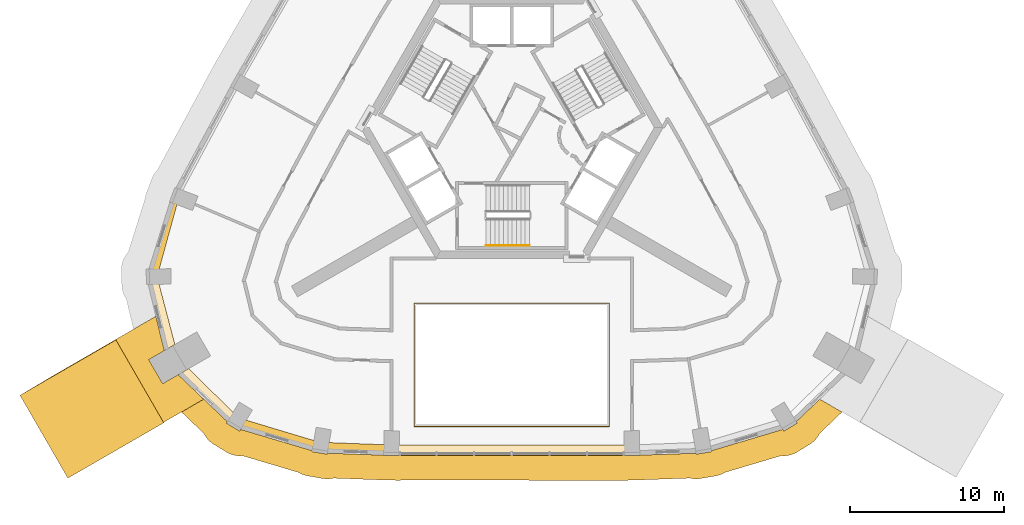
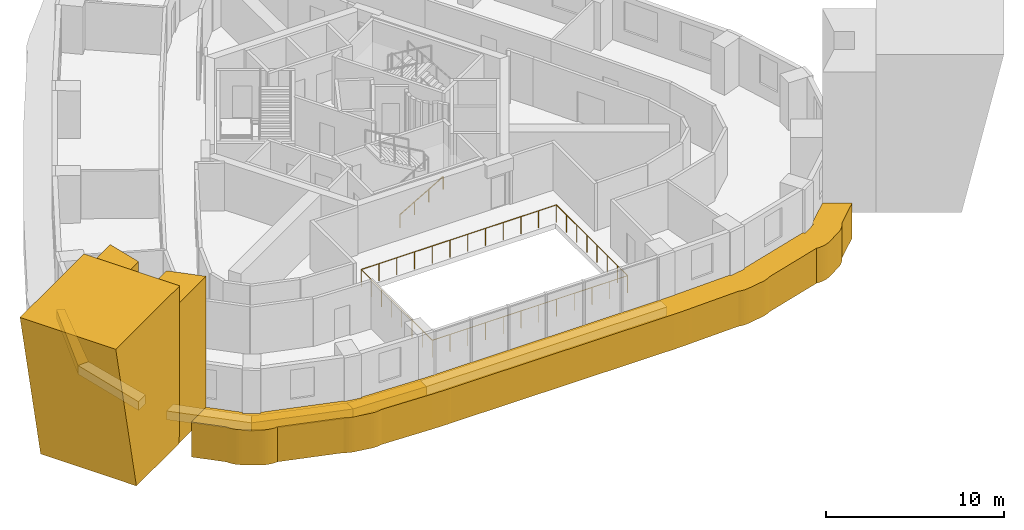
# One storey, part 8 of 11: 9 coverings, 2 railings.
"""IFC4 building model written with IfcOpenShell, lengths in metres."""

from ifc_helpers import new_model, si_unit, direction, frame, origin, origin_2d, place, context, subcontext, project, spatial, polyline, circle, outline, extrude, material, type_object, element, save


model = new_model("IFC4")

# Units and contexts
model_context = context("Model", 3, precision=1e-05, world=origin(), true_north=direction((0.0, 1.0)))
body_context = subcontext(model_context, "Body", "Model", "MODEL_VIEW")
ifc_project = project(units=[si_unit("LENGTHUNIT", "METRE"), si_unit("AREAUNIT", "SQUARE_METRE"), si_unit("VOLUMEUNIT", "CUBIC_METRE"), si_unit("PLANEANGLEUNIT", "RADIAN"), si_unit("MASSUNIT", "GRAM", prefix="KILO")], contexts=[model_context])

# Site, building, storey
site_placement = place(None, origin())
site = spatial("IfcSite", under=ifc_project, at=site_placement, CompositionType="ELEMENT")
building_placement = place(site_placement, origin())
building = spatial("IfcBuilding", under=site, at=building_placement, Name="Entoto Arch Interchange Tower", CompositionType="ELEMENT")
storey_placement = place(building_placement, frame((0.0, 0.0, 308.0)))
storey = spatial("IfcBuildingStorey", under=building, at=storey_placement, Name="L72", CompositionType="ELEMENT", Elevation=308.0)

# Railing
ifc_material_1 = material(Name="Stainless steel 1.4301", Category="steel")
railing_type_1 = type_object("IfcRailingType", Name="ATRIUM GUARD 1200 STEEL AND GLASS", PredefinedType="GUARDRAIL", material=ifc_material_1)
railing_1_placement = place(storey_placement, frame((6.320068359375, -16.865966796875, 0.0)))
element("IfcRailing", 1, at=railing_1_placement, inside=storey, type_object=railing_type_1, Name="Atrium guard L72", PredefinedType="GUARDRAIL", context=body_context, shape_type="SweptSolid", body=[
    extrude(circle(Radius=0.02392578125, at=origin_2d()), frame((0.0, 0.0, 1.17578125), z_axis=(-1.0, 0.0, 0.0), x_axis=(0.0, -1.0, 0.0)), (0.0, 0.0, 1.0), 12.64013671875),
    extrude(circle(Radius=0.02392578125, at=origin_2d()), frame((-12.64013671875, 0.0, 1.17578125), z_axis=(0.0, 1.0, 0.0), x_axis=(-1.0, 0.0, 0.0)), (0.0, 0.0, 1.0), 7.986083984375),
    extrude(circle(Radius=0.02392578125, at=origin_2d()), frame((-12.64013671875, 7.986083984375, 1.17578125), z_axis=(1.0, 0.0, 0.0), x_axis=(0.0, 1.0, 0.0)), (0.0, 0.0, 1.0), 12.64013671875),
    extrude(circle(Radius=0.02392578125, at=origin_2d()), frame((0.0, 7.986083984375, 1.17578125), z_axis=(0.0, -1.0, 0.0), x_axis=(1.0, 0.0, 0.0)), (0.0, 0.0, 1.0), 7.986083984375),
    extrude(circle(Radius=0.02099609375, at=origin_2d()), origin(), (0.0, 0.0, 1.0), 1.15185546875),
    extrude(circle(Radius=0.02099609375, at=origin_2d()), frame((-1.149169921875, 0.0, 0.0)), (0.0, 0.0, 1.0), 1.15185546875),
    extrude(circle(Radius=0.02099609375, at=origin_2d()), frame((-2.298095703125, 0.0, 0.0)), (0.0, 0.0, 1.0), 1.15185546875),
    extrude(circle(Radius=0.02099609375, at=origin_2d()), frame((-3.447265625, 0.0, 0.0)), (0.0, 0.0, 1.0), 1.15185546875),
    extrude(circle(Radius=0.02099609375, at=origin_2d()), frame((-4.596435546875, 0.0, 0.0)), (0.0, 0.0, 1.0), 1.15185546875),
    extrude(circle(Radius=0.02099609375, at=origin_2d()), frame((-5.74560546875, 0.0, 0.0)), (0.0, 0.0, 1.0), 1.15185546875),
    extrude(circle(Radius=0.02099609375, at=origin_2d()), frame((-6.89453125, 0.0, 0.0)), (0.0, 0.0, 1.0), 1.15185546875),
    extrude(circle(Radius=0.02099609375, at=origin_2d()), frame((-8.043701171875, 0.0, 0.0)), (0.0, 0.0, 1.0), 1.15185546875),
    extrude(circle(Radius=0.02099609375, at=origin_2d()), frame((-9.19287109375, 0.0, 0.0)), (0.0, 0.0, 1.0), 1.15185546875),
    extrude(circle(Radius=0.02099609375, at=origin_2d()), frame((-10.342041015625, 0.0, 0.0)), (0.0, 0.0, 1.0), 1.15185546875),
    extrude(circle(Radius=0.02099609375, at=origin_2d()), frame((-11.490966796875, 0.0, 0.0)), (0.0, 0.0, 1.0), 1.15185546875),
    extrude(circle(Radius=0.02099609375, at=origin_2d()), frame((-12.64013671875, 0.0, 0.0)), (0.0, 0.0, 1.0), 1.15185546875),
    extrude(circle(Radius=0.02099609375, at=origin_2d()), frame((-12.64013671875, 1.140869140625, 0.0)), (0.0, 0.0, 1.0), 1.15185546875),
    extrude(circle(Radius=0.02099609375, at=origin_2d()), frame((-12.64013671875, 2.28173828125, 0.0)), (0.0, 0.0, 1.0), 1.15185546875),
    extrude(circle(Radius=0.02099609375, at=origin_2d()), frame((-12.64013671875, 3.422607421875, 0.0)), (0.0, 0.0, 1.0), 1.15185546875),
    extrude(circle(Radius=0.02099609375, at=origin_2d()), frame((-12.64013671875, 4.5634765625, 0.0)), (0.0, 0.0, 1.0), 1.15185546875),
    extrude(circle(Radius=0.02099609375, at=origin_2d()), frame((-12.64013671875, 5.704345703125, 0.0)), (0.0, 0.0, 1.0), 1.15185546875),
    extrude(circle(Radius=0.02099609375, at=origin_2d()), frame((-12.64013671875, 6.84521484375, 0.0)), (0.0, 0.0, 1.0), 1.15185546875),
    extrude(circle(Radius=0.02099609375, at=origin_2d()), frame((-12.64013671875, 7.986083984375, 0.0)), (0.0, 0.0, 1.0), 1.15185546875),
    extrude(circle(Radius=0.02099609375, at=origin_2d()), frame((-11.490966796875, 7.986083984375, 0.0)), (0.0, 0.0, 1.0), 1.15185546875),
    extrude(circle(Radius=0.02099609375, at=origin_2d()), frame((-10.342041015625, 7.986083984375, 0.0)), (0.0, 0.0, 1.0), 1.15185546875),
    extrude(circle(Radius=0.02099609375, at=origin_2d()), frame((-9.19287109375, 7.986083984375, 0.0)), (0.0, 0.0, 1.0), 1.15185546875),
    extrude(circle(Radius=0.02099609375, at=origin_2d()), frame((-8.043701171875, 7.986083984375, 0.0)), (0.0, 0.0, 1.0), 1.15185546875),
    extrude(circle(Radius=0.02099609375, at=origin_2d()), frame((-6.89453125, 7.986083984375, 0.0)), (0.0, 0.0, 1.0), 1.15185546875),
    extrude(circle(Radius=0.02099609375, at=origin_2d()), frame((-5.74560546875, 7.986083984375, 0.0)), (0.0, 0.0, 1.0), 1.15185546875),
    extrude(circle(Radius=0.02099609375, at=origin_2d()), frame((-4.596435546875, 7.986083984375, 0.0)), (0.0, 0.0, 1.0), 1.15185546875),
    extrude(circle(Radius=0.02099609375, at=origin_2d()), frame((-3.447265625, 7.986083984375, 0.0)), (0.0, 0.0, 1.0), 1.15185546875),
    extrude(circle(Radius=0.02099609375, at=origin_2d()), frame((-2.298095703125, 7.986083984375, 0.0)), (0.0, 0.0, 1.0), 1.15185546875),
    extrude(circle(Radius=0.02099609375, at=origin_2d()), frame((-1.149169921875, 7.986083984375, 0.0)), (0.0, 0.0, 1.0), 1.15185546875),
    extrude(circle(Radius=0.02099609375, at=origin_2d()), frame((0.0, 7.986083984375, 0.0)), (0.0, 0.0, 1.0), 1.15185546875),
    extrude(circle(Radius=0.02099609375, at=origin_2d()), frame((0.0, 6.84521484375, 0.0)), (0.0, 0.0, 1.0), 1.15185546875),
    extrude(circle(Radius=0.02099609375, at=origin_2d()), frame((0.0, 5.704345703125, 0.0)), (0.0, 0.0, 1.0), 1.15185546875),
    extrude(circle(Radius=0.02099609375, at=origin_2d()), frame((0.0, 4.5634765625, 0.0)), (0.0, 0.0, 1.0), 1.15185546875),
    extrude(circle(Radius=0.02099609375, at=origin_2d()), frame((0.0, 3.422607421875, 0.0)), (0.0, 0.0, 1.0), 1.15185546875),
    extrude(circle(Radius=0.02099609375, at=origin_2d()), frame((0.0, 2.28173828125, 0.0)), (0.0, 0.0, 1.0), 1.15185546875),
    extrude(circle(Radius=0.02099609375, at=origin_2d()), frame((0.0, 1.140869140625, 0.0)), (0.0, 0.0, 1.0), 1.15185546875),
])

# Coverings
ifc_material_2 = material(Name="Board-marked precast concrete C50/60", Category="concrete")
covering_type_1 = type_object("IfcCoveringType", Name="PRECAST FRAME COURSE", PredefinedType="CLADDING", material=ifc_material_2)
covering_1_placement = place(storey_placement, frame((0.0, 0.0, -0.340087890625)))
element("IfcCovering", 2, at=covering_1_placement, inside=storey, type_object=covering_type_1, Name="Corner pilaster SW L72-L74", PredefinedType="CLADDING", context=body_context, shape_type="SweptSolid", body=[
    extrude(outline(polyline([(-22.55810546875, -16.60400390625), (-25.657958984375, -11.23388671875), (-23.053955078125, -9.73095703125), (-22.510986328125, -11.9580078125), (-23.51806640625, -12.5400390625), (-22.617919921875, -14.097900390625), (-21.611083984375, -13.51708984375), (-19.9541015625, -15.10009765625), (-22.55810546875, -16.60400390625)])), origin(), (0.0, 0.0, 1.0), 9.60009765625),
])
covering_2_placement = place(storey_placement, frame((-25.657958984375, -11.23388671875, -0.340087890625), z_axis=(-0.500091280433, 0.865967485807, 0.00300412389), x_axis=(-0.865971393133, -0.500093537527, 1.83118e-07)))
element("IfcCovering", 3, at=covering_2_placement, inside=storey, type_object=covering_type_1, Name="Corner rib SW L72-L74", PredefinedType="CLADDING", context=body_context, shape_type="SweptSolid", body=[
    extrude(outline(polyline([(0.0, 0.0), (4.802793700619839, -8.673617379884035e-19), (7.174889025954694, 10.800096248525707), (-0.0005452072095082702, 10.8000984419619), (0.0, 0.0)])), origin(), (0.0, 0.0, -1.0), 6.199951171875),
])
covering_3_placement = place(storey_placement, frame((0.0, 0.0, -2.10009765625)))
element("IfcCovering", 4, at=covering_3_placement, inside=storey, type_object=covering_type_1, Name="Slab edge fin L72", PredefinedType="CLADDING", context=body_context, shape_type="SweptSolid", body=[
    extrude(outline(polyline([(19.678955078125, -17.716064453125), (19.569091796875, -17.827880859375), (19.447998046875, -17.927978515625), (19.318115234375, -18.01611328125), (18.465087890625, -18.537109375), (18.326904296875, -18.612060546875), (18.181884765625, -18.674072265625), (18.031982421875, -18.719970703125), (17.8779296875, -18.751953125), (17.721923828125, -18.76904296875), (17.56494140625, -18.77001953125), (17.455078125, -18.760009765625), (13.7958984375, -19.84912109375), (13.79296875, -19.85107421875), (13.656005859375, -19.927978515625), (13.511962890625, -19.991943359375), (13.363037109375, -20.0400390625), (13.2099609375, -20.073974609375), (12.22412109375, -20.241943359375), (12.068115234375, -20.260986328125), (11.910888671875, -20.263916015625), (11.75390625, -20.251953125), (11.60009765625, -20.22509765625), (11.55908203125, -20.214111328125), (8.507080078125, -20.322021484375), (8.488037109375, -20.324951171875), (8.3310546875, -20.3359375), (7.83203125, -20.345947265625), (7.33203125, -20.35595703125), (7.299072265625, -20.35595703125), (-7.136962890625, -20.345947265625), (-7.175048828125, -20.35107421875), (-7.33203125, -20.35595703125), (-7.83203125, -20.345947265625), (-8.3310546875, -20.3359375), (-8.360107421875, -20.3349609375), (-11.56201171875, -20.214111328125), (-11.60009765625, -20.22509765625), (-11.75390625, -20.251953125), (-11.910888671875, -20.263916015625), (-12.068115234375, -20.260986328125), (-12.22412109375, -20.241943359375), (-13.2099609375, -20.073974609375), (-13.363037109375, -20.0400390625), (-13.511962890625, -19.991943359375), (-13.656005859375, -19.927978515625), (-13.79296875, -19.85107421875), (-13.7958984375, -19.84912109375), (-17.455078125, -18.760009765625), (-17.56494140625, -18.77001953125), (-17.721923828125, -18.76904296875), (-17.8779296875, -18.751953125), (-18.031982421875, -18.719970703125), (-18.181884765625, -18.674072265625), (-18.326904296875, -18.612060546875), (-18.465087890625, -18.537109375), (-19.318115234375, -18.01611328125), (-19.447998046875, -17.927978515625), (-19.569091796875, -17.827880859375), (-19.678955078125, -17.716064453125), (-19.777099609375, -17.593994140625), (-19.864013671875, -17.4619140625), (-19.929931640625, -17.3349609375), (-21.39306640625, -15.93701171875), (-19.949951171875, -15.10400390625), (-18.427978515625, -16.556884765625), (-18.485107421875, -16.65087890625), (-18.05810546875, -16.910888671875), (-17.631103515625, -17.1708984375), (-17.56201171875, -17.05908203125), (-12.930908203125, -18.43701171875), (-12.94091796875, -18.4970703125), (-12.447998046875, -18.5810546875), (-11.955078125, -18.6650390625), (-11.944091796875, -18.59912109375), (-8.300048828125, -18.72802734375), (-8.300048828125, -18.736083984375), (-7.800048828125, -18.74609375), (-7.300048828125, -18.756103515625), (-7.300048828125, -18.74609375), (7.300048828125, -18.74609375), (7.300048828125, -18.756103515625), (7.800048828125, -18.74609375), (8.300048828125, -18.736083984375), (8.300048828125, -18.72802734375), (11.944091796875, -18.59912109375), (11.955078125, -18.6650390625), (12.447998046875, -18.5810546875), (12.94091796875, -18.4970703125), (12.930908203125, -18.43701171875), (17.56201171875, -17.05908203125), (17.631103515625, -17.1708984375), (18.05810546875, -16.910888671875), (18.485107421875, -16.65087890625), (18.427978515625, -16.556884765625), (19.949951171875, -15.10400390625), (21.39306640625, -15.93701171875), (19.929931640625, -17.3349609375), (19.864013671875, -17.4619140625), (19.777099609375, -17.593994140625), (19.678955078125, -17.716064453125)])), origin(), (0.0, 0.0, 1.0), 2.400146484375),
])
covering_type_2 = type_object("IfcCoveringType", Name="PRECAST LEDGE COURSE", PredefinedType="CLADDING", material=ifc_material_2)
covering_4_placement = place(storey_placement, frame((0.0, 0.0, -0.93994140625)))
element("IfcCovering", 5, at=covering_4_placement, inside=storey, type_object=covering_type_2, Name="Precast course S-01 L72", PredefinedType="CLADDING", context=body_context, shape_type="SweptSolid", body=[
    extrude(outline(polyline([(-7.800048828125, -18.06396484375), (-7.800048828125, -18.74609375), (-12.447998046875, -18.5810546875), (-12.447998046875, -17.889892578125), (-7.800048828125, -18.06396484375)])), origin(), (0.0, 0.0, 1.0), 0.599853515625),
])
covering_5_placement = place(storey_placement, frame((0.0, 0.0, -0.93994140625)))
element("IfcCovering", 6, at=covering_5_placement, inside=storey, type_object=covering_type_2, Name="Precast course S-02 L72", PredefinedType="CLADDING", context=body_context, shape_type="SweptSolid", body=[
    extrude(outline(polyline([(7.800048828125, -18.06396484375), (7.800048828125, -18.74609375), (-7.800048828125, -18.74609375), (-7.800048828125, -18.06396484375), (7.800048828125, -18.06396484375)])), origin(), (0.0, 0.0, 1.0), 0.599853515625),
])
covering_6_placement = place(storey_placement, frame((0.0, 0.0, -0.93994140625)))
element("IfcCovering", 7, at=covering_6_placement, inside=storey, type_object=covering_type_2, Name="Precast course SW-01 L72", PredefinedType="CLADDING", context=body_context, shape_type="SweptSolid", body=[
    extrude(outline(polyline([(-22.971923828125, -7.1650390625), (-23.675048828125, -7.181884765625), (-21.99609375, -1.85205078125), (-21.556884765625, -2.01708984375), (-22.971923828125, -7.1650390625)])), origin(), (0.0, 0.0, 1.0), 0.599853515625),
])
covering_7_placement = place(storey_placement, frame((0.0, 0.0, -0.93994140625)))
element("IfcCovering", 8, at=covering_7_placement, inside=storey, type_object=covering_type_2, Name="Precast course SW-02 L72", PredefinedType="CLADDING", context=body_context, shape_type="SweptSolid", body=[
    extrude(outline(polyline([(-21.821044921875, -11.55810546875), (-22.510986328125, -11.95703125), (-23.675048828125, -7.181884765625), (-22.971923828125, -7.1650390625), (-21.821044921875, -11.55810546875)])), origin(), (0.0, 0.0, 1.0), 0.599853515625),
])
covering_8_placement = place(storey_placement, frame((0.0, 0.0, -0.93994140625)))
element("IfcCovering", 9, at=covering_8_placement, inside=storey, type_object=covering_type_2, Name="Precast course SW-03 L72", PredefinedType="CLADDING", context=body_context, shape_type="SweptSolid", body=[
    extrude(outline(polyline([(-17.69189453125, -16.31201171875), (-18.05810546875, -16.910888671875), (-21.612060546875, -13.51611328125), (-20.9208984375, -13.116943359375), (-17.69189453125, -16.31201171875)])), origin(), (0.0, 0.0, 1.0), 0.599853515625),
])
covering_9_placement = place(storey_placement, frame((0.0, 0.0, -0.93994140625)))
element("IfcCovering", 10, at=covering_9_placement, inside=storey, type_object=covering_type_2, Name="Precast course SW-04 L72", PredefinedType="CLADDING", context=body_context, shape_type="SweptSolid", body=[
    extrude(outline(polyline([(-12.447998046875, -17.889892578125), (-12.447998046875, -18.5810546875), (-18.05810546875, -16.910888671875), (-17.69189453125, -16.31201171875), (-12.447998046875, -17.889892578125)])), origin(), (0.0, 0.0, 1.0), 0.599853515625),
])

# Railing
railing_type_2 = type_object("IfcRailingType", Name="STAIR HANDRAIL 900 STEEL", PredefinedType="HANDRAIL", material=ifc_material_1)
railing_2_placement = place(storey_placement, frame((-1.64990234375, -5.14990234375, 0.16357421875)))
element("IfcRailing", 11, at=railing_2_placement, inside=storey, type_object=railing_type_2, Name="L72 ST-S stair handrail 1", PredefinedType="HANDRAIL", context=body_context, shape_type="SweptSolid", body=[
    extrude(circle(Radius=0.02392578125, at=origin_2d()), frame((0.0, 0.0, 0.8759765625), z_axis=(0.863341702679, 0.0, 0.504619762213), x_axis=(0.0, 1.0, 0.0)), (0.0, 0.0, 1.0), 3.242919921875),
    extrude(circle(Radius=0.02099609375, at=origin_2d()), origin(), (0.0, 0.0, 1.0), 0.851806640625),
    extrude(circle(Radius=0.02099609375, at=origin_2d()), frame((0.933349609375, 0.0, 0.54541015625)), (0.0, 0.0, 1.0), 0.851806640625),
    extrude(circle(Radius=0.02099609375, at=origin_2d()), frame((1.866455078125, 0.0, 1.091064453125)), (0.0, 0.0, 1.0), 0.851806640625),
    extrude(circle(Radius=0.02099609375, at=origin_2d()), frame((2.7998046875, 0.0, 1.636474609375)), (0.0, 0.0, 1.0), 0.851806640625),
])

save(model, "model.ifc")
